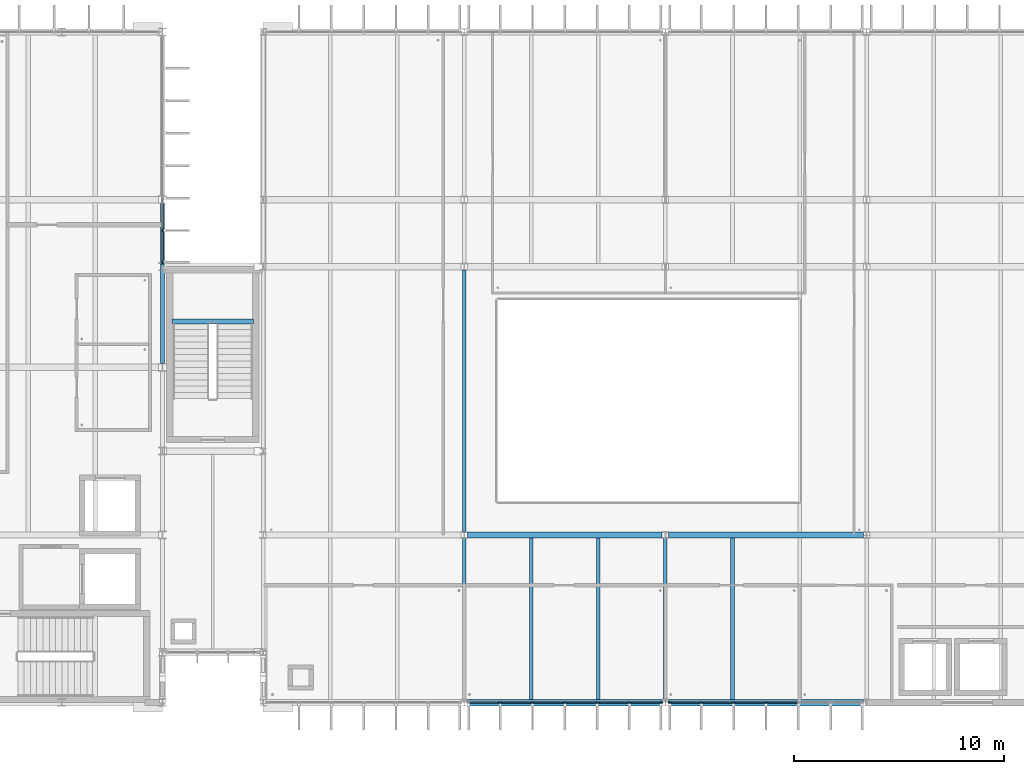
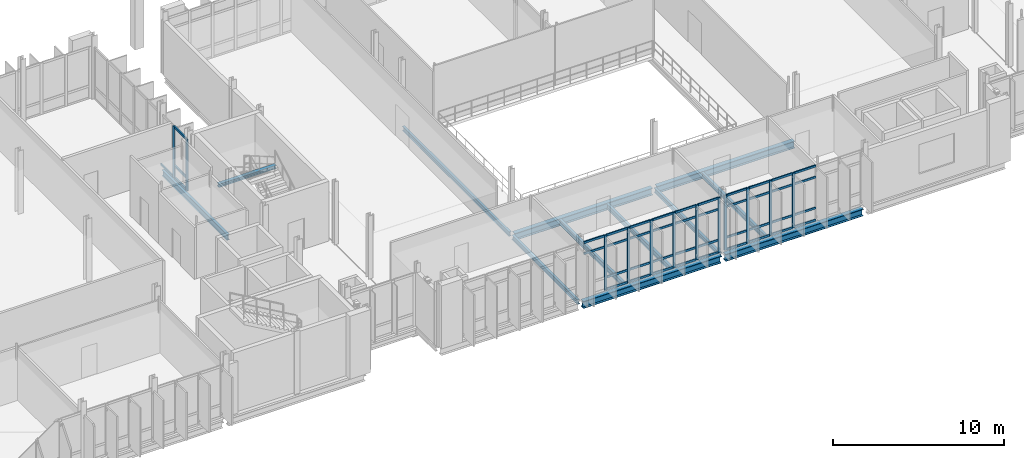
# One storey, part 22 of 110: 54 members, 12 beams, 3 elements without a shape of their own.
"""IFC4 building model written with IfcOpenShell, lengths in metres."""

from ifc_helpers import new_model, si_unit, direction, frame, origin, origin_2d, place, context, subcontext, project, spatial, rectangle, i_section, extrude, material, material_profile, profile_set, type_object, element, aggregate, save


model = new_model("IFC4")

# Units and contexts
model_context = context("Model", 3, precision=1e-05, world=origin(), true_north=direction((0.0, 1.0)))
body_context = subcontext(model_context, "Body", "Model", "MODEL_VIEW")
ifc_project = project(units=[si_unit("LENGTHUNIT", "METRE"), si_unit("AREAUNIT", "SQUARE_METRE"), si_unit("VOLUMEUNIT", "CUBIC_METRE"), si_unit("PLANEANGLEUNIT", "RADIAN"), si_unit("MASSUNIT", "GRAM", prefix="KILO")], contexts=[model_context])

# Site, building, storey
site_placement = place(None, origin())
site = spatial("IfcSite", under=ifc_project, at=site_placement, CompositionType="ELEMENT")
building_placement = place(site_placement, origin())
building = spatial("IfcBuilding", under=site, at=building_placement, Name="Dunescarp Central Library", CompositionType="ELEMENT")
storey_placement = place(building_placement, frame((0.0, 0.0, 9.60009765625)))
storey = spatial("IfcBuildingStorey", under=building, at=storey_placement, Name="L02", CompositionType="ELEMENT", Elevation=9.60009765625)

# Curtain wall, members
ifc_material_1 = material(Name="Marine-grade anodised aluminium 6063-T6", Category="aluminium")
curtain_wall_type = type_object("IfcCurtainWallType", Name="ARC-CW-STICK", PredefinedType="NOTDEFINED", material=ifc_material_1)
curtain_wall_1_placement = place(storey_placement, origin())
curtain_wall_1 = element("IfcCurtainWall", 1, at=curtain_wall_1_placement, inside=storey, type_object=curtain_wall_type, Name="L02 curtain wall CW-V1-017", PredefinedType="NOTDEFINED")
ifc_material_profile_1 = material_profile(ifc_material_1, rectangle(XDim=0.080078125, YDim=0.179931640625, at=origin_2d()), Name="AL 80x180")
ifc_profile_set_1 = profile_set([ifc_material_profile_1], Name="Marine-grade anodised aluminium 6063-T6")
member_type_1 = type_object("IfcMemberType", Name="ARC-CWM-180", PredefinedType="MULLION", material=ifc_profile_set_1)
member_1_placement = place(storey_placement, frame((33.60009765625, 27.324951171875, 0.0), z_axis=(0.0, 0.0, 1.0), x_axis=(1.0, 0.0, 0.0)))
member_1 = element("IfcMember", 2, at=member_1_placement, type_object=member_type_1, Name="CW-V1-017 mullion 7", PredefinedType="MULLION", context=body_context, shape_type="SweptSolid", body=[
    extrude(rectangle(XDim=0.080078125, YDim=0.179931640625, at=origin_2d()), origin(), (0.0, 0.0, 1.0), 3.684814453125),
])
member_2_placement = place(storey_placement, frame((33.60009765625, 25.81494140625, 0.0), z_axis=(0.0, 0.0, 1.0), x_axis=(1.0, 0.0, 0.0)))
member_2 = element("IfcMember", 3, at=member_2_placement, type_object=member_type_1, Name="CW-V1-017 mullion 8", PredefinedType="MULLION", context=body_context, shape_type="SweptSolid", body=[
    extrude(rectangle(XDim=0.080078125, YDim=0.179931640625, at=origin_2d()), origin(), (0.0, 0.0, 1.0), 3.684814453125),
])

curtain_wall_2_placement = place(storey_placement, origin())
curtain_wall_2 = element("IfcCurtainWall", 4, at=curtain_wall_2_placement, inside=storey, type_object=curtain_wall_type, Name="L02 curtain wall CW-V2-055", PredefinedType="NOTDEFINED")
member_3_placement = place(storey_placement, frame((57.385009765625, 4.800048828125, 0.0), z_axis=(0.0, 0.0, 1.0), x_axis=(0.0, -1.0, 0.0)))
member_3 = element("IfcMember", 5, at=member_3_placement, type_object=member_type_1, Name="CW-V2-055 mullion 1", PredefinedType="MULLION", context=body_context, shape_type="SweptSolid", body=[
    extrude(rectangle(XDim=0.080078125, YDim=0.179931640625, at=origin_2d()), origin(), (0.0, 0.0, 1.0), 3.9248046875),
])
member_4_placement = place(storey_placement, frame((55.88330078125, 4.800048828125, 0.0), z_axis=(0.0, 0.0, 1.0), x_axis=(0.0, -1.0, 0.0)))
member_4 = element("IfcMember", 6, at=member_4_placement, type_object=member_type_1, Name="CW-V2-055 mullion 2", PredefinedType="MULLION", context=body_context, shape_type="SweptSolid", body=[
    extrude(rectangle(XDim=0.080078125, YDim=0.179931640625, at=origin_2d()), origin(), (0.0, 0.0, 1.0), 3.9248046875),
])
member_5_placement = place(storey_placement, frame((54.341552734375, 4.800048828125, 0.0), z_axis=(0.0, 0.0, 1.0), x_axis=(0.0, -1.0, 0.0)))
member_5 = element("IfcMember", 7, at=member_5_placement, type_object=member_type_1, Name="CW-V2-055 mullion 3", PredefinedType="MULLION", context=body_context, shape_type="SweptSolid", body=[
    extrude(rectangle(XDim=0.080078125, YDim=0.179931640625, at=origin_2d()), origin(), (0.0, 0.0, 1.0), 3.9248046875),
])
member_6_placement = place(storey_placement, frame((52.800048828125, 4.800048828125, 0.0), z_axis=(0.0, 0.0, 1.0), x_axis=(0.0, -1.0, 0.0)))
member_6 = element("IfcMember", 8, at=member_6_placement, type_object=member_type_1, Name="CW-V2-055 mullion 4", PredefinedType="MULLION", context=body_context, shape_type="SweptSolid", body=[
    extrude(rectangle(XDim=0.080078125, YDim=0.179931640625, at=origin_2d()), origin(), (0.0, 0.0, 1.0), 3.9248046875),
])
member_7_placement = place(storey_placement, frame((51.25830078125, 4.800048828125, 0.0), z_axis=(0.0, 0.0, 1.0), x_axis=(0.0, -1.0, 0.0)))
member_7 = element("IfcMember", 9, at=member_7_placement, type_object=member_type_1, Name="CW-V2-055 mullion 5", PredefinedType="MULLION", context=body_context, shape_type="SweptSolid", body=[
    extrude(rectangle(XDim=0.080078125, YDim=0.179931640625, at=origin_2d()), origin(), (0.0, 0.0, 1.0), 3.9248046875),
])
member_8_placement = place(storey_placement, frame((49.716552734375, 4.800048828125, 0.0), z_axis=(0.0, 0.0, 1.0), x_axis=(0.0, -1.0, 0.0)))
member_8 = element("IfcMember", 10, at=member_8_placement, type_object=member_type_1, Name="CW-V2-055 mullion 6", PredefinedType="MULLION", context=body_context, shape_type="SweptSolid", body=[
    extrude(rectangle(XDim=0.080078125, YDim=0.179931640625, at=origin_2d()), origin(), (0.0, 0.0, 1.0), 3.9248046875),
])

curtain_wall_3_placement = place(storey_placement, origin())
curtain_wall_3 = element("IfcCurtainWall", 11, at=curtain_wall_3_placement, inside=storey, type_object=curtain_wall_type, Name="L02 curtain wall CW-V2-056", PredefinedType="NOTDEFINED")
member_9_placement = place(storey_placement, frame((62.39990234375, 4.800048828125, 0.0), z_axis=(0.0, 0.0, 1.0), x_axis=(0.0, -1.0, 0.0)))
member_9 = element("IfcMember", 12, at=member_9_placement, type_object=member_type_1, Name="CW-V2-056 mullion 4", PredefinedType="MULLION", context=body_context, shape_type="SweptSolid", body=[
    extrude(rectangle(XDim=0.080078125, YDim=0.179931640625, at=origin_2d()), origin(), (0.0, 0.0, 1.0), 3.9248046875),
])
member_10_placement = place(storey_placement, frame((60.8583984375, 4.800048828125, 0.0), z_axis=(0.0, 0.0, 1.0), x_axis=(0.0, -1.0, 0.0)))
member_10 = element("IfcMember", 13, at=member_10_placement, type_object=member_type_1, Name="CW-V2-056 mullion 5", PredefinedType="MULLION", context=body_context, shape_type="SweptSolid", body=[
    extrude(rectangle(XDim=0.080078125, YDim=0.179931640625, at=origin_2d()), origin(), (0.0, 0.0, 1.0), 3.9248046875),
])
member_11_placement = place(storey_placement, frame((59.316650390625, 4.800048828125, 0.0), z_axis=(0.0, 0.0, 1.0), x_axis=(0.0, -1.0, 0.0)))
member_11 = element("IfcMember", 14, at=member_11_placement, type_object=member_type_1, Name="CW-V2-056 mullion 6", PredefinedType="MULLION", context=body_context, shape_type="SweptSolid", body=[
    extrude(rectangle(XDim=0.080078125, YDim=0.179931640625, at=origin_2d()), origin(), (0.0, 0.0, 1.0), 3.9248046875),
])
member_12_placement = place(storey_placement, frame((57.81494140625, 4.800048828125, 0.0), z_axis=(0.0, 0.0, 1.0), x_axis=(0.0, -1.0, 0.0)))
member_12 = element("IfcMember", 15, at=member_12_placement, type_object=member_type_1, Name="CW-V2-056 mullion 7", PredefinedType="MULLION", context=body_context, shape_type="SweptSolid", body=[
    extrude(rectangle(XDim=0.080078125, YDim=0.179931640625, at=origin_2d()), origin(), (0.0, 0.0, 1.0), 3.9248046875),
])

# Member
ifc_material_profile_2 = material_profile(ifc_material_1, rectangle(XDim=0.080078125, YDim=0.14990234375, at=origin_2d()), Name="AL 80x150")
ifc_profile_set_2 = profile_set([ifc_material_profile_2], Name="Marine-grade anodised aluminium 6063-T6")
member_type_2 = type_object("IfcMemberType", Name="ARC-CWT-150", PredefinedType="USERDEFINED", material=ifc_profile_set_2)
member_13_placement = place(storey_placement, frame((33.60009765625, 28.8349609375, 0.039794921875), z_axis=(0.0, -1.0, 0.0), x_axis=(1.0, 0.0, 0.0)))
member_13 = element("IfcMember", 16, at=member_13_placement, type_object=member_type_2, Name="CW-V1-017 transom 6.1", ObjectType="TRANSOM", PredefinedType="USERDEFINED", context=body_context, shape_type="SweptSolid", body=[
    extrude(rectangle(XDim=0.080078125, YDim=0.14990234375, at=origin_2d()), origin(), (0.0, 0.0, 1.0), 1.469970703125),
])

member_14_placement = place(storey_placement, frame((33.60009765625, 27.284912109375, 0.039794921875), z_axis=(0.0, -1.0, 0.0), x_axis=(1.0, 0.0, 0.0)))
member_14 = element("IfcMember", 17, at=member_14_placement, type_object=member_type_2, Name="CW-V1-017 transom 7.1", ObjectType="TRANSOM", PredefinedType="USERDEFINED", context=body_context, shape_type="SweptSolid", body=[
    extrude(rectangle(XDim=0.080078125, YDim=0.14990234375, at=origin_2d()), origin(), (0.0, 0.0, 1.0), 1.429931640625),
])

member_15_placement = place(storey_placement, frame((33.60009765625, 27.284912109375, 0.89990234375), z_axis=(0.0, -1.0, 0.0), x_axis=(1.0, 0.0, 0.0)))
member_15 = element("IfcMember", 18, at=member_15_placement, type_object=member_type_2, Name="CW-V1-017 transom 7.2", ObjectType="TRANSOM", PredefinedType="USERDEFINED", context=body_context, shape_type="SweptSolid", body=[
    extrude(rectangle(XDim=0.080078125, YDim=0.14990234375, at=origin_2d()), origin(), (0.0, 0.0, 1.0), 1.429931640625),
])

member_16_placement = place(storey_placement, frame((33.60009765625, 27.284912109375, 3.64501953125), z_axis=(0.0, -1.0, 0.0), x_axis=(1.0, 0.0, 0.0)))
member_16 = element("IfcMember", 19, at=member_16_placement, type_object=member_type_2, Name="CW-V1-017 transom 7.3", ObjectType="TRANSOM", PredefinedType="USERDEFINED", context=body_context, shape_type="SweptSolid", body=[
    extrude(rectangle(XDim=0.080078125, YDim=0.14990234375, at=origin_2d()), origin(), (0.0, 0.0, 1.0), 1.429931640625),
])

aggregate(curtain_wall_1, [member_1, member_2, member_13, member_14, member_15, member_16])

member_17_placement = place(storey_placement, frame((57.344970703125, 4.800048828125, 0.039794921875), z_axis=(-1.0, 0.0, 0.0), x_axis=(0.0, -1.0, 0.0)))
member_17 = element("IfcMember", 20, at=member_17_placement, type_object=member_type_2, Name="CW-V2-055 transom 1.1", ObjectType="TRANSOM", PredefinedType="USERDEFINED", context=body_context, shape_type="SweptSolid", body=[
    extrude(rectangle(XDim=0.080078125, YDim=0.14990234375, at=origin_2d()), origin(), (0.0, 0.0, 1.0), 1.421630859375),
])

member_18_placement = place(storey_placement, frame((57.344970703125, 4.800048828125, 0.89990234375), z_axis=(-1.0, 0.0, 0.0), x_axis=(0.0, -1.0, 0.0)))
member_18 = element("IfcMember", 21, at=member_18_placement, type_object=member_type_2, Name="CW-V2-055 transom 1.2", ObjectType="TRANSOM", PredefinedType="USERDEFINED", context=body_context, shape_type="SweptSolid", body=[
    extrude(rectangle(XDim=0.080078125, YDim=0.14990234375, at=origin_2d()), origin(), (0.0, 0.0, 1.0), 1.421630859375),
])

member_19_placement = place(storey_placement, frame((57.344970703125, 4.800048828125, 3.099853515625), z_axis=(-1.0, 0.0, 0.0), x_axis=(0.0, -1.0, 0.0)))
member_19 = element("IfcMember", 22, at=member_19_placement, type_object=member_type_2, Name="CW-V2-055 transom 1.3", ObjectType="TRANSOM", PredefinedType="USERDEFINED", context=body_context, shape_type="SweptSolid", body=[
    extrude(rectangle(XDim=0.080078125, YDim=0.14990234375, at=origin_2d()), origin(), (0.0, 0.0, 1.0), 1.421630859375),
])

member_20_placement = place(storey_placement, frame((57.344970703125, 4.800048828125, 3.885009765625), z_axis=(-1.0, 0.0, 0.0), x_axis=(0.0, -1.0, 0.0)))
member_20 = element("IfcMember", 23, at=member_20_placement, type_object=member_type_2, Name="CW-V2-055 transom 1.4", ObjectType="TRANSOM", PredefinedType="USERDEFINED", context=body_context, shape_type="SweptSolid", body=[
    extrude(rectangle(XDim=0.080078125, YDim=0.14990234375, at=origin_2d()), origin(), (0.0, 0.0, 1.0), 1.421630859375),
])

member_21_placement = place(storey_placement, frame((55.84326171875, 4.800048828125, 0.039794921875), z_axis=(-1.0, 0.0, 0.0), x_axis=(0.0, -1.0, 0.0)))
member_21 = element("IfcMember", 24, at=member_21_placement, type_object=member_type_2, Name="CW-V2-055 transom 2.1", ObjectType="TRANSOM", PredefinedType="USERDEFINED", context=body_context, shape_type="SweptSolid", body=[
    extrude(rectangle(XDim=0.080078125, YDim=0.14990234375, at=origin_2d()), origin(), (0.0, 0.0, 1.0), 1.461669921875),
])

member_22_placement = place(storey_placement, frame((55.84326171875, 4.800048828125, 0.89990234375), z_axis=(-1.0, 0.0, 0.0), x_axis=(0.0, -1.0, 0.0)))
member_22 = element("IfcMember", 25, at=member_22_placement, type_object=member_type_2, Name="CW-V2-055 transom 2.2", ObjectType="TRANSOM", PredefinedType="USERDEFINED", context=body_context, shape_type="SweptSolid", body=[
    extrude(rectangle(XDim=0.080078125, YDim=0.14990234375, at=origin_2d()), origin(), (0.0, 0.0, 1.0), 1.461669921875),
])

member_23_placement = place(storey_placement, frame((55.84326171875, 4.800048828125, 3.099853515625), z_axis=(-1.0, 0.0, 0.0), x_axis=(0.0, -1.0, 0.0)))
member_23 = element("IfcMember", 26, at=member_23_placement, type_object=member_type_2, Name="CW-V2-055 transom 2.3", ObjectType="TRANSOM", PredefinedType="USERDEFINED", context=body_context, shape_type="SweptSolid", body=[
    extrude(rectangle(XDim=0.080078125, YDim=0.14990234375, at=origin_2d()), origin(), (0.0, 0.0, 1.0), 1.461669921875),
])

member_24_placement = place(storey_placement, frame((55.84326171875, 4.800048828125, 3.885009765625), z_axis=(-1.0, 0.0, 0.0), x_axis=(0.0, -1.0, 0.0)))
member_24 = element("IfcMember", 27, at=member_24_placement, type_object=member_type_2, Name="CW-V2-055 transom 2.4", ObjectType="TRANSOM", PredefinedType="USERDEFINED", context=body_context, shape_type="SweptSolid", body=[
    extrude(rectangle(XDim=0.080078125, YDim=0.14990234375, at=origin_2d()), origin(), (0.0, 0.0, 1.0), 1.461669921875),
])

member_25_placement = place(storey_placement, frame((54.3017578125, 4.800048828125, 0.039794921875), z_axis=(-1.0, 0.0, 0.0), x_axis=(0.0, -1.0, 0.0)))
member_25 = element("IfcMember", 28, at=member_25_placement, type_object=member_type_2, Name="CW-V2-055 transom 3.1", ObjectType="TRANSOM", PredefinedType="USERDEFINED", context=body_context, shape_type="SweptSolid", body=[
    extrude(rectangle(XDim=0.080078125, YDim=0.14990234375, at=origin_2d()), origin(), (0.0, 0.0, 1.0), 1.461669921875),
])

member_26_placement = place(storey_placement, frame((54.3017578125, 4.800048828125, 0.89990234375), z_axis=(-1.0, 0.0, 0.0), x_axis=(0.0, -1.0, 0.0)))
member_26 = element("IfcMember", 29, at=member_26_placement, type_object=member_type_2, Name="CW-V2-055 transom 3.2", ObjectType="TRANSOM", PredefinedType="USERDEFINED", context=body_context, shape_type="SweptSolid", body=[
    extrude(rectangle(XDim=0.080078125, YDim=0.14990234375, at=origin_2d()), origin(), (0.0, 0.0, 1.0), 1.461669921875),
])

member_27_placement = place(storey_placement, frame((54.3017578125, 4.800048828125, 3.099853515625), z_axis=(-1.0, 0.0, 0.0), x_axis=(0.0, -1.0, 0.0)))
member_27 = element("IfcMember", 30, at=member_27_placement, type_object=member_type_2, Name="CW-V2-055 transom 3.3", ObjectType="TRANSOM", PredefinedType="USERDEFINED", context=body_context, shape_type="SweptSolid", body=[
    extrude(rectangle(XDim=0.080078125, YDim=0.14990234375, at=origin_2d()), origin(), (0.0, 0.0, 1.0), 1.461669921875),
])

member_28_placement = place(storey_placement, frame((54.3017578125, 4.800048828125, 3.885009765625), z_axis=(-1.0, 0.0, 0.0), x_axis=(0.0, -1.0, 0.0)))
member_28 = element("IfcMember", 31, at=member_28_placement, type_object=member_type_2, Name="CW-V2-055 transom 3.4", ObjectType="TRANSOM", PredefinedType="USERDEFINED", context=body_context, shape_type="SweptSolid", body=[
    extrude(rectangle(XDim=0.080078125, YDim=0.14990234375, at=origin_2d()), origin(), (0.0, 0.0, 1.0), 1.461669921875),
])

member_29_placement = place(storey_placement, frame((52.760009765625, 4.800048828125, 0.039794921875), z_axis=(-1.0, 0.0, 0.0), x_axis=(0.0, -1.0, 0.0)))
member_29 = element("IfcMember", 32, at=member_29_placement, type_object=member_type_2, Name="CW-V2-055 transom 4.1", ObjectType="TRANSOM", PredefinedType="USERDEFINED", context=body_context, shape_type="SweptSolid", body=[
    extrude(rectangle(XDim=0.080078125, YDim=0.14990234375, at=origin_2d()), origin(), (0.0, 0.0, 1.0), 1.461669921875),
])

member_30_placement = place(storey_placement, frame((52.760009765625, 4.800048828125, 0.89990234375), z_axis=(-1.0, 0.0, 0.0), x_axis=(0.0, -1.0, 0.0)))
member_30 = element("IfcMember", 33, at=member_30_placement, type_object=member_type_2, Name="CW-V2-055 transom 4.2", ObjectType="TRANSOM", PredefinedType="USERDEFINED", context=body_context, shape_type="SweptSolid", body=[
    extrude(rectangle(XDim=0.080078125, YDim=0.14990234375, at=origin_2d()), origin(), (0.0, 0.0, 1.0), 1.461669921875),
])

member_31_placement = place(storey_placement, frame((52.760009765625, 4.800048828125, 3.099853515625), z_axis=(-1.0, 0.0, 0.0), x_axis=(0.0, -1.0, 0.0)))
member_31 = element("IfcMember", 34, at=member_31_placement, type_object=member_type_2, Name="CW-V2-055 transom 4.3", ObjectType="TRANSOM", PredefinedType="USERDEFINED", context=body_context, shape_type="SweptSolid", body=[
    extrude(rectangle(XDim=0.080078125, YDim=0.14990234375, at=origin_2d()), origin(), (0.0, 0.0, 1.0), 1.461669921875),
])

member_32_placement = place(storey_placement, frame((52.760009765625, 4.800048828125, 3.885009765625), z_axis=(-1.0, 0.0, 0.0), x_axis=(0.0, -1.0, 0.0)))
member_32 = element("IfcMember", 35, at=member_32_placement, type_object=member_type_2, Name="CW-V2-055 transom 4.4", ObjectType="TRANSOM", PredefinedType="USERDEFINED", context=body_context, shape_type="SweptSolid", body=[
    extrude(rectangle(XDim=0.080078125, YDim=0.14990234375, at=origin_2d()), origin(), (0.0, 0.0, 1.0), 1.461669921875),
])

member_33_placement = place(storey_placement, frame((51.21826171875, 4.800048828125, 0.039794921875), z_axis=(-1.0, 0.0, 0.0), x_axis=(0.0, -1.0, 0.0)))
member_33 = element("IfcMember", 36, at=member_33_placement, type_object=member_type_2, Name="CW-V2-055 transom 5.1", ObjectType="TRANSOM", PredefinedType="USERDEFINED", context=body_context, shape_type="SweptSolid", body=[
    extrude(rectangle(XDim=0.080078125, YDim=0.14990234375, at=origin_2d()), origin(), (0.0, 0.0, 1.0), 1.461669921875),
])

member_34_placement = place(storey_placement, frame((51.21826171875, 4.800048828125, 0.89990234375), z_axis=(-1.0, 0.0, 0.0), x_axis=(0.0, -1.0, 0.0)))
member_34 = element("IfcMember", 37, at=member_34_placement, type_object=member_type_2, Name="CW-V2-055 transom 5.2", ObjectType="TRANSOM", PredefinedType="USERDEFINED", context=body_context, shape_type="SweptSolid", body=[
    extrude(rectangle(XDim=0.080078125, YDim=0.14990234375, at=origin_2d()), origin(), (0.0, 0.0, 1.0), 1.461669921875),
])

member_35_placement = place(storey_placement, frame((51.21826171875, 4.800048828125, 3.099853515625), z_axis=(-1.0, 0.0, 0.0), x_axis=(0.0, -1.0, 0.0)))
member_35 = element("IfcMember", 38, at=member_35_placement, type_object=member_type_2, Name="CW-V2-055 transom 5.3", ObjectType="TRANSOM", PredefinedType="USERDEFINED", context=body_context, shape_type="SweptSolid", body=[
    extrude(rectangle(XDim=0.080078125, YDim=0.14990234375, at=origin_2d()), origin(), (0.0, 0.0, 1.0), 1.461669921875),
])

member_36_placement = place(storey_placement, frame((51.21826171875, 4.800048828125, 3.885009765625), z_axis=(-1.0, 0.0, 0.0), x_axis=(0.0, -1.0, 0.0)))
member_36 = element("IfcMember", 39, at=member_36_placement, type_object=member_type_2, Name="CW-V2-055 transom 5.4", ObjectType="TRANSOM", PredefinedType="USERDEFINED", context=body_context, shape_type="SweptSolid", body=[
    extrude(rectangle(XDim=0.080078125, YDim=0.14990234375, at=origin_2d()), origin(), (0.0, 0.0, 1.0), 1.461669921875),
])

member_37_placement = place(storey_placement, frame((49.6767578125, 4.800048828125, 3.099853515625), z_axis=(-1.0, 0.0, 0.0), x_axis=(0.0, -1.0, 0.0)))
member_37 = element("IfcMember", 40, at=member_37_placement, type_object=member_type_2, Name="CW-V2-055 transom 6.3", ObjectType="TRANSOM", PredefinedType="USERDEFINED", context=body_context, shape_type="SweptSolid", body=[
    extrude(rectangle(XDim=0.080078125, YDim=0.14990234375, at=origin_2d()), origin(), (0.0, 0.0, 1.0), 1.421875),
])

member_38_placement = place(storey_placement, frame((49.6767578125, 4.800048828125, 3.885009765625), z_axis=(-1.0, 0.0, 0.0), x_axis=(0.0, -1.0, 0.0)))
member_38 = element("IfcMember", 41, at=member_38_placement, type_object=member_type_2, Name="CW-V2-055 transom 6.4", ObjectType="TRANSOM", PredefinedType="USERDEFINED", context=body_context, shape_type="SweptSolid", body=[
    extrude(rectangle(XDim=0.080078125, YDim=0.14990234375, at=origin_2d()), origin(), (0.0, 0.0, 1.0), 1.421875),
])

aggregate(curtain_wall_2, [member_3, member_4, member_5, member_6, member_7, member_8, member_17, member_18, member_19, member_20, member_21, member_22, member_23, member_24, member_25, member_26, member_27, member_28, member_29, member_30, member_31, member_32, member_33, member_34, member_35, member_36, member_37, member_38])

member_39_placement = place(storey_placement, frame((63.901611328125, 4.800048828125, 0.039794921875), z_axis=(-1.0, 0.0, 0.0), x_axis=(0.0, -1.0, 0.0)))
member_39 = element("IfcMember", 42, at=member_39_placement, type_object=member_type_2, Name="CW-V2-056 transom 3.1", ObjectType="TRANSOM", PredefinedType="USERDEFINED", context=body_context, shape_type="SweptSolid", body=[
    extrude(rectangle(XDim=0.080078125, YDim=0.14990234375, at=origin_2d()), origin(), (0.0, 0.0, 1.0), 1.461669921875),
])

member_40_placement = place(storey_placement, frame((63.901611328125, 4.800048828125, 0.89990234375), z_axis=(-1.0, 0.0, 0.0), x_axis=(0.0, -1.0, 0.0)))
member_40 = element("IfcMember", 43, at=member_40_placement, type_object=member_type_2, Name="CW-V2-056 transom 3.2", ObjectType="TRANSOM", PredefinedType="USERDEFINED", context=body_context, shape_type="SweptSolid", body=[
    extrude(rectangle(XDim=0.080078125, YDim=0.14990234375, at=origin_2d()), origin(), (0.0, 0.0, 1.0), 1.461669921875),
])

member_41_placement = place(storey_placement, frame((63.901611328125, 4.800048828125, 3.099853515625), z_axis=(-1.0, 0.0, 0.0), x_axis=(0.0, -1.0, 0.0)))
member_41 = element("IfcMember", 44, at=member_41_placement, type_object=member_type_2, Name="CW-V2-056 transom 3.3", ObjectType="TRANSOM", PredefinedType="USERDEFINED", context=body_context, shape_type="SweptSolid", body=[
    extrude(rectangle(XDim=0.080078125, YDim=0.14990234375, at=origin_2d()), origin(), (0.0, 0.0, 1.0), 1.461669921875),
])

member_42_placement = place(storey_placement, frame((63.901611328125, 4.800048828125, 3.885009765625), z_axis=(-1.0, 0.0, 0.0), x_axis=(0.0, -1.0, 0.0)))
member_42 = element("IfcMember", 45, at=member_42_placement, type_object=member_type_2, Name="CW-V2-056 transom 3.4", ObjectType="TRANSOM", PredefinedType="USERDEFINED", context=body_context, shape_type="SweptSolid", body=[
    extrude(rectangle(XDim=0.080078125, YDim=0.14990234375, at=origin_2d()), origin(), (0.0, 0.0, 1.0), 1.461669921875),
])

member_43_placement = place(storey_placement, frame((62.360107421875, 4.800048828125, 0.039794921875), z_axis=(-1.0, 0.0, 0.0), x_axis=(0.0, -1.0, 0.0)))
member_43 = element("IfcMember", 46, at=member_43_placement, type_object=member_type_2, Name="CW-V2-056 transom 4.1", ObjectType="TRANSOM", PredefinedType="USERDEFINED", context=body_context, shape_type="SweptSolid", body=[
    extrude(rectangle(XDim=0.080078125, YDim=0.14990234375, at=origin_2d()), origin(), (0.0, 0.0, 1.0), 1.461669921875),
])

member_44_placement = place(storey_placement, frame((62.360107421875, 4.800048828125, 0.89990234375), z_axis=(-1.0, 0.0, 0.0), x_axis=(0.0, -1.0, 0.0)))
member_44 = element("IfcMember", 47, at=member_44_placement, type_object=member_type_2, Name="CW-V2-056 transom 4.2", ObjectType="TRANSOM", PredefinedType="USERDEFINED", context=body_context, shape_type="SweptSolid", body=[
    extrude(rectangle(XDim=0.080078125, YDim=0.14990234375, at=origin_2d()), origin(), (0.0, 0.0, 1.0), 1.461669921875),
])

member_45_placement = place(storey_placement, frame((62.360107421875, 4.800048828125, 3.099853515625), z_axis=(-1.0, 0.0, 0.0), x_axis=(0.0, -1.0, 0.0)))
member_45 = element("IfcMember", 48, at=member_45_placement, type_object=member_type_2, Name="CW-V2-056 transom 4.3", ObjectType="TRANSOM", PredefinedType="USERDEFINED", context=body_context, shape_type="SweptSolid", body=[
    extrude(rectangle(XDim=0.080078125, YDim=0.14990234375, at=origin_2d()), origin(), (0.0, 0.0, 1.0), 1.461669921875),
])

member_46_placement = place(storey_placement, frame((62.360107421875, 4.800048828125, 3.885009765625), z_axis=(-1.0, 0.0, 0.0), x_axis=(0.0, -1.0, 0.0)))
member_46 = element("IfcMember", 49, at=member_46_placement, type_object=member_type_2, Name="CW-V2-056 transom 4.4", ObjectType="TRANSOM", PredefinedType="USERDEFINED", context=body_context, shape_type="SweptSolid", body=[
    extrude(rectangle(XDim=0.080078125, YDim=0.14990234375, at=origin_2d()), origin(), (0.0, 0.0, 1.0), 1.461669921875),
])

member_47_placement = place(storey_placement, frame((60.818359375, 4.800048828125, 0.039794921875), z_axis=(-1.0, 0.0, 0.0), x_axis=(0.0, -1.0, 0.0)))
member_47 = element("IfcMember", 50, at=member_47_placement, type_object=member_type_2, Name="CW-V2-056 transom 5.1", ObjectType="TRANSOM", PredefinedType="USERDEFINED", context=body_context, shape_type="SweptSolid", body=[
    extrude(rectangle(XDim=0.080078125, YDim=0.14990234375, at=origin_2d()), origin(), (0.0, 0.0, 1.0), 1.461669921875),
])

member_48_placement = place(storey_placement, frame((60.818359375, 4.800048828125, 0.89990234375), z_axis=(-1.0, 0.0, 0.0), x_axis=(0.0, -1.0, 0.0)))
member_48 = element("IfcMember", 51, at=member_48_placement, type_object=member_type_2, Name="CW-V2-056 transom 5.2", ObjectType="TRANSOM", PredefinedType="USERDEFINED", context=body_context, shape_type="SweptSolid", body=[
    extrude(rectangle(XDim=0.080078125, YDim=0.14990234375, at=origin_2d()), origin(), (0.0, 0.0, 1.0), 1.461669921875),
])

member_49_placement = place(storey_placement, frame((60.818359375, 4.800048828125, 3.099853515625), z_axis=(-1.0, 0.0, 0.0), x_axis=(0.0, -1.0, 0.0)))
member_49 = element("IfcMember", 52, at=member_49_placement, type_object=member_type_2, Name="CW-V2-056 transom 5.3", ObjectType="TRANSOM", PredefinedType="USERDEFINED", context=body_context, shape_type="SweptSolid", body=[
    extrude(rectangle(XDim=0.080078125, YDim=0.14990234375, at=origin_2d()), origin(), (0.0, 0.0, 1.0), 1.461669921875),
])

member_50_placement = place(storey_placement, frame((60.818359375, 4.800048828125, 3.885009765625), z_axis=(-1.0, 0.0, 0.0), x_axis=(0.0, -1.0, 0.0)))
member_50 = element("IfcMember", 53, at=member_50_placement, type_object=member_type_2, Name="CW-V2-056 transom 5.4", ObjectType="TRANSOM", PredefinedType="USERDEFINED", context=body_context, shape_type="SweptSolid", body=[
    extrude(rectangle(XDim=0.080078125, YDim=0.14990234375, at=origin_2d()), origin(), (0.0, 0.0, 1.0), 1.461669921875),
])

member_51_placement = place(storey_placement, frame((59.276611328125, 4.800048828125, 0.039794921875), z_axis=(-1.0, 0.0, 0.0), x_axis=(0.0, -1.0, 0.0)))
member_51 = element("IfcMember", 54, at=member_51_placement, type_object=member_type_2, Name="CW-V2-056 transom 6.1", ObjectType="TRANSOM", PredefinedType="USERDEFINED", context=body_context, shape_type="SweptSolid", body=[
    extrude(rectangle(XDim=0.080078125, YDim=0.14990234375, at=origin_2d()), origin(), (0.0, 0.0, 1.0), 1.421630859375),
])

member_52_placement = place(storey_placement, frame((59.276611328125, 4.800048828125, 0.89990234375), z_axis=(-1.0, 0.0, 0.0), x_axis=(0.0, -1.0, 0.0)))
member_52 = element("IfcMember", 55, at=member_52_placement, type_object=member_type_2, Name="CW-V2-056 transom 6.2", ObjectType="TRANSOM", PredefinedType="USERDEFINED", context=body_context, shape_type="SweptSolid", body=[
    extrude(rectangle(XDim=0.080078125, YDim=0.14990234375, at=origin_2d()), origin(), (0.0, 0.0, 1.0), 1.421630859375),
])

member_53_placement = place(storey_placement, frame((59.276611328125, 4.800048828125, 3.099853515625), z_axis=(-1.0, 0.0, 0.0), x_axis=(0.0, -1.0, 0.0)))
member_53 = element("IfcMember", 56, at=member_53_placement, type_object=member_type_2, Name="CW-V2-056 transom 6.3", ObjectType="TRANSOM", PredefinedType="USERDEFINED", context=body_context, shape_type="SweptSolid", body=[
    extrude(rectangle(XDim=0.080078125, YDim=0.14990234375, at=origin_2d()), origin(), (0.0, 0.0, 1.0), 1.421630859375),
])

member_54_placement = place(storey_placement, frame((59.276611328125, 4.800048828125, 3.885009765625), z_axis=(-1.0, 0.0, 0.0), x_axis=(0.0, -1.0, 0.0)))
member_54 = element("IfcMember", 57, at=member_54_placement, type_object=member_type_2, Name="CW-V2-056 transom 6.4", ObjectType="TRANSOM", PredefinedType="USERDEFINED", context=body_context, shape_type="SweptSolid", body=[
    extrude(rectangle(XDim=0.080078125, YDim=0.14990234375, at=origin_2d()), origin(), (0.0, 0.0, 1.0), 1.421630859375),
])

aggregate(curtain_wall_3, [member_9, member_10, member_11, member_12, member_39, member_40, member_41, member_42, member_43, member_44, member_45, member_46, member_47, member_48, member_49, member_50, member_51, member_52, member_53, member_54])

# Beams
ifc_material_2 = material(Name="Steel S355JR", Category="steel")
ifc_material_profile_3 = material_profile(ifc_material_2, i_section(OverallWidth=0.300048828125, OverallDepth=0.5, WebThickness=0.014404296875, FlangeThickness=0.028076171875, at=origin_2d()), Name="HEB 500")
ifc_profile_set_3 = profile_set([ifc_material_profile_3], Name="Steel S355JR")
beam_type_1 = type_object("IfcBeamType", Name="STR-BM-HEB500", PredefinedType="BEAM", material=ifc_profile_set_3)
for number, where, z_axis, x_axis, name in (
    (58, (48.152099609375, 4.800048828125, -0.460205078125), (1.0, 0.0, 0.0), (0.0, 1.0, 0.0), "L02 girder BM-L02-0424"),
    (59, (48.152099609375, 12.800048828125, -0.460205078125), (1.0, 0.0, 0.0), (0.0, 1.0, 0.0), "L02 girder BM-L02-0425"),
):
    element("IfcBeam", number, at=place(storey_placement, frame(where, z_axis=z_axis, x_axis=x_axis)), inside=storey, type_object=beam_type_1, Name=name, PredefinedType="BEAM", context=body_context, shape_type="SweptSolid", body=[
        extrude(i_section(OverallWidth=0.300048828125, OverallDepth=0.5, WebThickness=0.014404296875, FlangeThickness=0.028076171875, at=origin_2d()), origin(), (0.0, 0.0, 1.0), 9.2958984375),
    ])
for number, where, z_axis, x_axis, name in (
    (60, (57.751953125, 4.800048828125, -0.460205078125), (1.0, 0.0, 0.0), (0.0, 1.0, 0.0), "L02 girder BM-L02-0438"),
    (61, (57.751953125, 12.800048828125, -0.460205078125), (1.0, 0.0, 0.0), (0.0, 1.0, 0.0), "L02 girder BM-L02-0439"),
):
    element("IfcBeam", number, at=place(storey_placement, frame(where, z_axis=z_axis, x_axis=x_axis)), inside=storey, type_object=beam_type_1, Name=name, PredefinedType="BEAM", context=body_context, shape_type="SweptSolid", body=[
        extrude(i_section(OverallWidth=0.300048828125, OverallDepth=0.5, WebThickness=0.014404296875, FlangeThickness=0.028076171875, at=origin_2d()), origin(), (0.0, 0.0, 1.0), 9.296142578125),
    ])
ifc_material_profile_4 = material_profile(ifc_material_2, i_section(OverallWidth=0.1669921875, OverallDepth=0.310302734375, WebThickness=0.0078125, FlangeThickness=0.013671875, at=origin_2d()), Name="UB 305x165x54")
ifc_profile_set_4 = profile_set([ifc_material_profile_4], Name="Steel S355JR")
beam_type_2 = type_object("IfcBeamType", Name="STR-BM-UB305X54", PredefinedType="BEAM", material=ifc_profile_set_4)
beam_1_placement = place(storey_placement, frame((48.0, 4.95703125, -0.364990234375), z_axis=(0.0, 1.0, 0.0), x_axis=(-1.0, 0.0, 0.0)))
element("IfcBeam", 62, at=beam_1_placement, inside=storey, type_object=beam_type_2, Name="L02 girder BM-L02-0406", PredefinedType="BEAM", context=body_context, shape_type="SweptSolid", body=[
    extrude(i_section(OverallWidth=0.1669921875, OverallDepth=0.310302734375, WebThickness=0.0078125, FlangeThickness=0.013671875, at=origin_2d()), origin(), (0.0, 0.0, 1.0), 7.68603515625),
])
beam_2_placement = place(storey_placement, frame((48.0, 12.95703125, -0.364990234375), z_axis=(0.0, 1.0, 0.0), x_axis=(-1.0, 0.0, 0.0)))
element("IfcBeam", 63, at=beam_2_placement, inside=storey, type_object=beam_type_2, Name="L02 girder BM-L02-0411", PredefinedType="BEAM", context=body_context, shape_type="SweptSolid", body=[
    extrude(i_section(OverallWidth=0.1669921875, OverallDepth=0.310302734375, WebThickness=0.0078125, FlangeThickness=0.013671875, at=origin_2d()), origin(), (0.0, 0.0, 1.0), 12.486083984375),
])
beam_3_placement = place(storey_placement, frame((57.60009765625, 4.95703125, -0.364990234375), z_axis=(0.0, 1.0, 0.0), x_axis=(-1.0, 0.0, 0.0)))
element("IfcBeam", 64, at=beam_3_placement, inside=storey, type_object=beam_type_2, Name="L02 girder BM-L02-0426", PredefinedType="BEAM", context=body_context, shape_type="SweptSolid", body=[
    extrude(i_section(OverallWidth=0.1669921875, OverallDepth=0.310302734375, WebThickness=0.0078125, FlangeThickness=0.013671875, at=origin_2d()), origin(), (0.0, 0.0, 1.0), 7.68603515625),
])
ifc_material_profile_5 = material_profile(ifc_material_2, i_section(OverallWidth=0.179443359375, OverallDepth=0.412841796875, WebThickness=0.009521484375, FlangeThickness=0.01611328125, at=origin_2d()), Name="UB 406x178x74")
ifc_profile_set_5 = profile_set([ifc_material_profile_5], Name="Steel S355JR")
beam_type_3 = type_object("IfcBeamType", Name="STR-BM-UB406", PredefinedType="BEAM", material=ifc_profile_set_5)
beam_4_placement = place(storey_placement, frame((33.60009765625, 20.98388671875, -0.416015625), z_axis=(0.0, 1.0, 0.0), x_axis=(-1.0, 0.0, 0.0)))
element("IfcBeam", 65, at=beam_4_placement, inside=storey, type_object=beam_type_3, Name="L02 girder BM-L02-0104", PredefinedType="BEAM", context=body_context, shape_type="SweptSolid", body=[
    extrude(i_section(OverallWidth=0.179443359375, OverallDepth=0.412841796875, WebThickness=0.009521484375, FlangeThickness=0.01611328125, at=origin_2d()), origin(), (0.0, 0.0, 1.0), 7.632080078125),
])
ifc_material_profile_6 = material_profile(ifc_material_2, i_section(OverallWidth=0.239990234375, OverallDepth=0.22998046875, WebThickness=0.007568359375, FlangeThickness=0.011962890625, at=origin_2d()), Name="HEA 240")
ifc_profile_set_6 = profile_set([ifc_material_profile_6], Name="Steel S355JR")
beam_type_4 = type_object("IfcBeamType", Name="STR-JS-HEA240", PredefinedType="JOIST", material=ifc_profile_set_6)
beam_5_placement = place(storey_placement, frame((34.06005859375, 22.97998046875, 1.934814453125), z_axis=(1.0, 0.0, 0.0), x_axis=(0.0, 1.0, 0.0)))
element("IfcBeam", 66, at=beam_5_placement, inside=storey, type_object=beam_type_4, Name="L02 ST-2 landing trimmer beam BM-ST-015", PredefinedType="BEAM", context=body_context, shape_type="SweptSolid", body=[
    extrude(i_section(OverallWidth=0.239990234375, OverallDepth=0.22998046875, WebThickness=0.007568359375, FlangeThickness=0.011962890625, at=origin_2d()), origin(), (0.0, 0.0, 1.0), 3.8798828125),
])
ifc_material_profile_7 = material_profile(ifc_material_2, i_section(OverallWidth=0.169921875, OverallDepth=0.360107421875, WebThickness=0.008056640625, FlangeThickness=0.0126953125, at=origin_2d()), Name="IPE 360")
ifc_profile_set_7 = profile_set([ifc_material_profile_7], Name="Steel S355JR")
beam_type_5 = type_object("IfcBeamType", Name="STR-JS-IPE360", PredefinedType="JOIST", material=ifc_profile_set_7)
for number, where, z_axis, x_axis, name in (
    (67, (51.199951171875, 4.947998046875, -0.39013671875), (0.0, 1.0, 0.0), (-1.0, 0.0, 0.0), "L02 joist JS-L02-0427"),
    (68, (54.39990234375, 4.947998046875, -0.39013671875), (0.0, 1.0, 0.0), (-1.0, 0.0, 0.0), "L02 joist JS-L02-0428"),
    (69, (60.800048828125, 4.947998046875, -0.39013671875), (0.0, 1.0, 0.0), (-1.0, 0.0, 0.0), "L02 joist JS-L02-0441"),
):
    element("IfcBeam", number, at=place(storey_placement, frame(where, z_axis=z_axis, x_axis=x_axis)), inside=storey, type_object=beam_type_5, Name=name, PredefinedType="JOIST", context=body_context, shape_type="SweptSolid", body=[
        extrude(i_section(OverallWidth=0.169921875, OverallDepth=0.360107421875, WebThickness=0.008056640625, FlangeThickness=0.0126953125, at=origin_2d()), origin(), (0.0, 0.0, 1.0), 7.7041015625),
    ])

save(model, "model.ifc")
